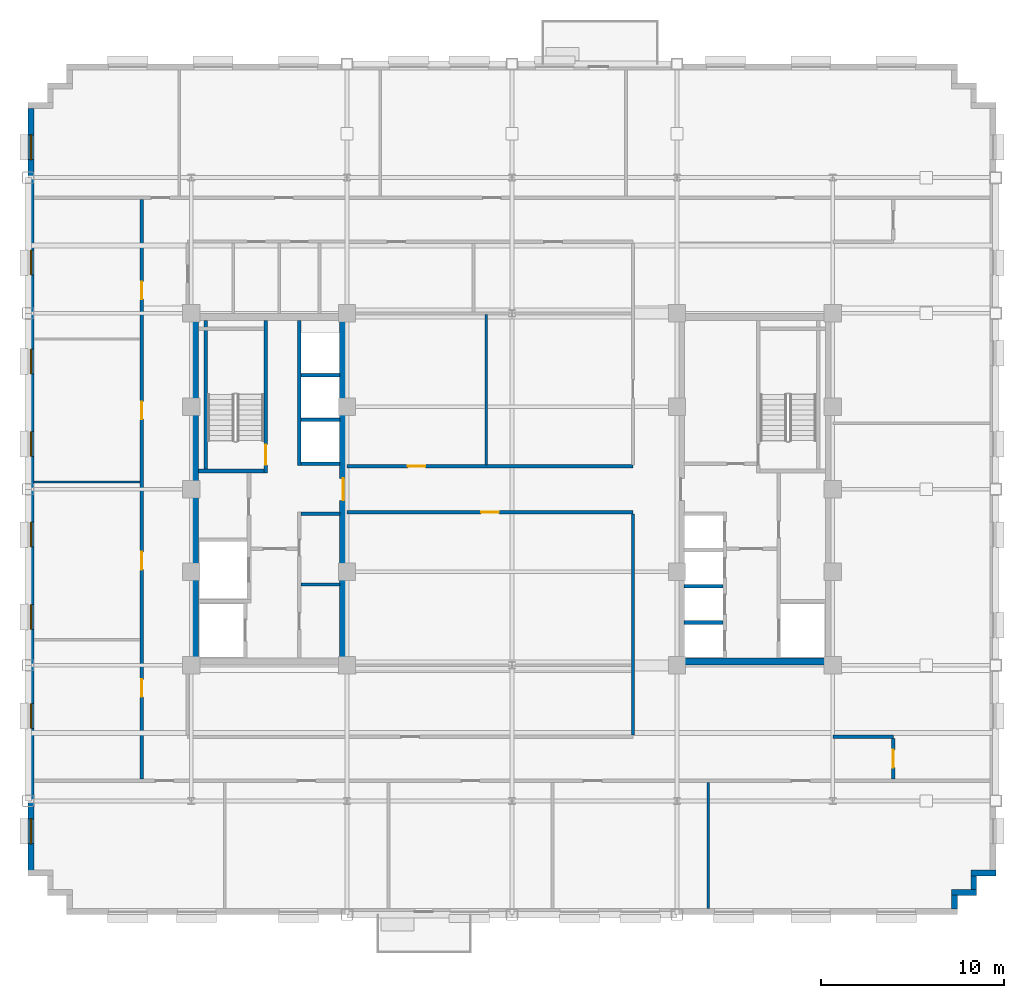
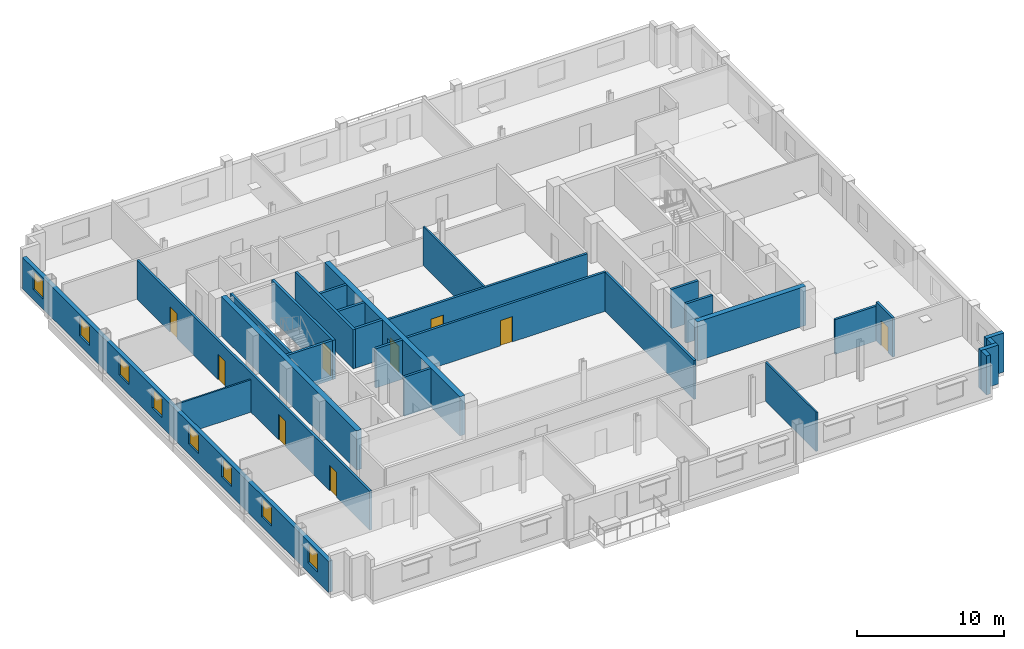
# One storey, part 7 of 14: 28 walls, 9 doors, 8 windows, 17 openings.
"""IFC4 building model written with IfcOpenShell, lengths in metres."""

from ifc_helpers import new_model, si_unit, direction, frame, frame_2d, origin, place, context, subcontext, project, spatial, rectangle, extrude, source, transform, mapped, material, layer, layer_set, type_object, type_shapes, element, fill, save


model = new_model("IFC4")

# Units and contexts
model_context = context("Model", 3, precision=1e-05, world=origin(), true_north=direction((0.0, 1.0)))
body_context = subcontext(model_context, "Body", "Model", "MODEL_VIEW")
ifc_project = project(units=[si_unit("LENGTHUNIT", "METRE"), si_unit("AREAUNIT", "SQUARE_METRE"), si_unit("VOLUMEUNIT", "CUBIC_METRE"), si_unit("PLANEANGLEUNIT", "RADIAN"), si_unit("MASSUNIT", "GRAM", prefix="KILO")], contexts=[model_context])

# Site, building, storey
site_placement = place(None, origin())
site = spatial("IfcSite", under=ifc_project, at=site_placement, CompositionType="ELEMENT")
building_placement = place(site_placement, origin())
building = spatial("IfcBuilding", under=site, at=building_placement, Name="Nuvemarco Arch Tower", CompositionType="ELEMENT")
storey_placement = place(building_placement, frame((0.0, 0.0, 164.0)))
storey = spatial("IfcBuildingStorey", under=building, at=storey_placement, Name="L43", CompositionType="ELEMENT", Elevation=164.0)

# Walls
ifc_material_1 = material(Name="Precast concrete C45/55", Category="concrete")
ifc_layer_1 = layer(ifc_material_1, 0.320068359375, Name="EW-MID-320")
ifc_layer_set_1 = layer_set([ifc_layer_1], Name="Precast concrete C45/55")
wall_type_1 = type_object("IfcWallType", Name="EW-MID-320", PredefinedType="STANDARD", material=ifc_layer_set_1)
wall_1_placement = place(storey_placement, frame((24.139892578125, -22.884033203125, 0.0), z_axis=(0.0, 0.0, 1.0), x_axis=(0.0, 1.0, 0.0)))
element("IfcWall", 1, at=wall_1_placement, inside=storey, type_object=wall_type_1, Name="L43 exterior precast facade wall 2", PredefinedType="STANDARD", context=body_context, shape_type="SweptSolid", body=[
    extrude(rectangle(XDim=0.738037109375, YDim=0.320068359375, at=frame_2d((0.369140625, 0.0))), origin(), (0.0, 0.0, 1.0), 3.239990234375),
])
wall_2_placement = place(storey_placement, frame((23.97998046875, -21.989990234375, 0.0), z_axis=(0.0, 0.0, 1.0), x_axis=(1.0, 0.0, 0.0)))
element("IfcWall", 2, at=wall_2_placement, inside=storey, type_object=wall_type_1, Name="L43 exterior precast facade wall 3", PredefinedType="STANDARD", context=body_context, shape_type="SweptSolid", body=[
    extrude(rectangle(XDim=1.3701171875, YDim=0.320068359375, at=frame_2d((0.68505859375, 0.0))), origin(), (0.0, 0.0, 1.0), 3.239990234375),
])
wall_3_placement = place(storey_placement, frame((25.18994140625, -21.833984375, 0.0), z_axis=(0.0, 0.0, 1.0), x_axis=(0.0, 1.0, 0.0)))
element("IfcWall", 3, at=wall_3_placement, inside=storey, type_object=wall_type_1, Name="L43 exterior precast facade wall 4", PredefinedType="STANDARD", context=body_context, shape_type="SweptSolid", body=[
    extrude(rectangle(XDim=0.738037109375, YDim=0.320068359375, at=frame_2d((0.369140625, 0.0))), origin(), (0.0, 0.0, 1.0), 3.239990234375),
])
wall_4_placement = place(storey_placement, frame((25.030029296875, -20.93994140625, 0.0), z_axis=(0.0, 0.0, 1.0), x_axis=(1.0, 0.0, 0.0)))
element("IfcWall", 4, at=wall_4_placement, inside=storey, type_object=wall_type_1, Name="L43 exterior precast facade wall 5", PredefinedType="STANDARD", context=body_context, shape_type="SweptSolid", body=[
    extrude(rectangle(XDim=1.369873046875, YDim=0.320068359375, at=frame_2d((0.68505859375, 0.0))), origin(), (0.0, 0.0, 1.0), 3.239990234375),
])

# Wall, openings, windows
wall_5_placement = place(storey_placement, frame((-26.239990234375, -20.783935546875, 0.0), z_axis=(0.0, 0.0, 1.0), x_axis=(0.0, 1.0, 0.0)))
wall_5 = element("IfcWall", 5, at=wall_5_placement, inside=storey, type_object=wall_type_1, Name="L43 exterior precast facade wall 16", PredefinedType="STANDARD", context=body_context, shape_type="SweptSolid", body=[
    extrude(rectangle(XDim=41.56787109375, YDim=0.320068359375, at=frame_2d((20.783935546875, 0.0))), origin(), (0.0, 0.0, 1.0), 2.5849609375),
])
opening_1_placement = place(wall_5_placement, frame((1.447998046875, 0.0, 0.800048828125)))
opening_1 = element("IfcOpeningElement", 6, at=opening_1_placement, cuts=wall_5, Name="Opening WN-6", PredefinedType="OPENING", context=body_context, shape_type="SweptSolid", body=[
    extrude(rectangle(XDim=1.35009765625, YDim=1.56005859375, at=frame_2d((0.675048828125, 0.780029296875))), frame((0.0, 0.169921875, 0.0), z_axis=(0.0, -1.0, 0.0), x_axis=(1.0, 0.0, 0.0)), (0.0, 0.0, 1.0), 0.340087890625),
])
opening_2_placement = place(wall_5_placement, frame((7.743896484375, 0.0, 0.800048828125)))
opening_2 = element("IfcOpeningElement", 7, at=opening_2_placement, cuts=wall_5, Name="Opening WN-6", PredefinedType="OPENING", context=body_context, shape_type="SweptSolid", body=[
    extrude(rectangle(XDim=1.35009765625, YDim=1.56005859375, at=frame_2d((0.675048828125, 0.780029296875))), frame((0.0, 0.169921875, 0.0), z_axis=(0.0, -1.0, 0.0), x_axis=(1.0, 0.0, 0.0)), (0.0, 0.0, 1.0), 0.340087890625),
])
opening_3_placement = place(wall_5_placement, frame((13.139892578125, 0.0, 0.800048828125)))
opening_3 = element("IfcOpeningElement", 8, at=opening_3_placement, cuts=wall_5, Name="Opening WN-6", PredefinedType="OPENING", context=body_context, shape_type="SweptSolid", body=[
    extrude(rectangle(XDim=1.35009765625, YDim=1.56005859375, at=frame_2d((0.675048828125, 0.780029296875))), frame((0.0, 0.169921875, 0.0), z_axis=(0.0, -1.0, 0.0), x_axis=(1.0, 0.0, 0.0)), (0.0, 0.0, 1.0), 0.340087890625),
])
opening_4_placement = place(wall_5_placement, frame((17.635986328125, 0.0, 0.800048828125)))
opening_4 = element("IfcOpeningElement", 9, at=opening_4_placement, cuts=wall_5, Name="Opening WN-6", PredefinedType="OPENING", context=body_context, shape_type="SweptSolid", body=[
    extrude(rectangle(XDim=1.35009765625, YDim=1.56005859375, at=frame_2d((0.675048828125, 0.780029296875))), frame((0.0, 0.169921875, 0.0), z_axis=(0.0, -1.0, 0.0), x_axis=(1.0, 0.0, 0.0)), (0.0, 0.0, 1.0), 0.340087890625),
])
opening_5_placement = place(wall_5_placement, frame((22.58203125, 0.0, 0.800048828125)))
opening_5 = element("IfcOpeningElement", 10, at=opening_5_placement, cuts=wall_5, Name="Opening WN-6", PredefinedType="OPENING", context=body_context, shape_type="SweptSolid", body=[
    extrude(rectangle(XDim=1.35009765625, YDim=1.56005859375, at=frame_2d((0.675048828125, 0.780029296875))), frame((0.0, 0.169921875, 0.0), z_axis=(0.0, -1.0, 0.0), x_axis=(1.0, 0.0, 0.0)), (0.0, 0.0, 1.0), 0.340087890625),
])
opening_6_placement = place(wall_5_placement, frame((27.077880859375, 0.0, 0.800048828125)))
opening_6 = element("IfcOpeningElement", 11, at=opening_6_placement, cuts=wall_5, Name="Opening WN-6", PredefinedType="OPENING", context=body_context, shape_type="SweptSolid", body=[
    extrude(rectangle(XDim=1.35009765625, YDim=1.56005859375, at=frame_2d((0.675048828125, 0.780029296875))), frame((0.0, 0.169921875, 0.0), z_axis=(0.0, -1.0, 0.0), x_axis=(1.0, 0.0, 0.0)), (0.0, 0.0, 1.0), 0.340087890625),
])
opening_7_placement = place(wall_5_placement, frame((32.47412109375, 0.0, 0.800048828125)))
opening_7 = element("IfcOpeningElement", 12, at=opening_7_placement, cuts=wall_5, Name="Opening WN-6", PredefinedType="OPENING", context=body_context, shape_type="SweptSolid", body=[
    extrude(rectangle(XDim=1.35009765625, YDim=1.56005859375, at=frame_2d((0.675048828125, 0.780029296875))), frame((0.0, 0.169921875, 0.0), z_axis=(0.0, -1.0, 0.0), x_axis=(1.0, 0.0, 0.0)), (0.0, 0.0, 1.0), 0.340087890625),
])
opening_8_placement = place(wall_5_placement, frame((38.77001953125, 0.0, 0.800048828125)))
opening_8 = element("IfcOpeningElement", 13, at=opening_8_placement, cuts=wall_5, Name="Opening WN-6", PredefinedType="OPENING", context=body_context, shape_type="SweptSolid", body=[
    extrude(rectangle(XDim=1.35009765625, YDim=1.56005859375, at=frame_2d((0.675048828125, 0.780029296875))), frame((0.0, 0.169921875, 0.0), z_axis=(0.0, -1.0, 0.0), x_axis=(1.0, 0.0, 0.0)), (0.0, 0.0, 1.0), 0.340087890625),
])
ifc_material_2 = material(Name="Insulated solar-control glass", Category="glass")
window_type = type_object("IfcWindowType", Name="WN-MID-1350x1560", PartitioningType="SINGLE_PANEL", PredefinedType="WINDOW", material=ifc_material_2)
shared_shape_1 = source(origin(), body_context, "Body", "SweptSolid", [
    extrude(rectangle(XDim=1.35009765625, YDim=1.56005859375, at=frame_2d((0.675048828125, 0.780029296875))), frame((0.0, 0.030029296875, 0.0), z_axis=(0.0, -1.0, 0.0), x_axis=(1.0, 0.0, 0.0)), (0.0, 0.0, 1.0), 0.06005859375),
])
type_shapes(window_type, [shared_shape_1])
window_1_placement = place(opening_1_placement, origin())
window_1 = element("IfcWindow", 14, at=window_1_placement, inside=storey, type_object=window_type, Name="L43 punched facade window 1", OverallHeight=1.56005859375, OverallWidth=1.35009765625, PartitioningType="SINGLE_PANEL", PredefinedType="WINDOW", context=body_context, shape_type="MappedRepresentation", body=[
    mapped(shared_shape_1, transform((0.0, 0.0, 0.0), scale=1.0)),
])
fill(opening_1, window_1)
window_2_placement = place(opening_2_placement, origin())
window_2 = element("IfcWindow", 15, at=window_2_placement, inside=storey, type_object=window_type, Name="L43 punched facade window 2", OverallHeight=1.56005859375, OverallWidth=1.35009765625, PartitioningType="SINGLE_PANEL", PredefinedType="WINDOW", context=body_context, shape_type="MappedRepresentation", body=[
    mapped(shared_shape_1, transform((0.0, 0.0, 0.0), scale=1.0)),
])
fill(opening_2, window_2)
window_3_placement = place(opening_3_placement, origin())
window_3 = element("IfcWindow", 16, at=window_3_placement, inside=storey, type_object=window_type, Name="L43 punched facade window 3", OverallHeight=1.56005859375, OverallWidth=1.35009765625, PartitioningType="SINGLE_PANEL", PredefinedType="WINDOW", context=body_context, shape_type="MappedRepresentation", body=[
    mapped(shared_shape_1, transform((0.0, 0.0, 0.0), scale=1.0)),
])
fill(opening_3, window_3)
window_4_placement = place(opening_4_placement, origin())
window_4 = element("IfcWindow", 17, at=window_4_placement, inside=storey, type_object=window_type, Name="L43 punched facade window 4", OverallHeight=1.56005859375, OverallWidth=1.35009765625, PartitioningType="SINGLE_PANEL", PredefinedType="WINDOW", context=body_context, shape_type="MappedRepresentation", body=[
    mapped(shared_shape_1, transform((0.0, 0.0, 0.0), scale=1.0)),
])
fill(opening_4, window_4)
window_5_placement = place(opening_5_placement, origin())
window_5 = element("IfcWindow", 18, at=window_5_placement, inside=storey, type_object=window_type, Name="L43 punched facade window 5", OverallHeight=1.56005859375, OverallWidth=1.35009765625, PartitioningType="SINGLE_PANEL", PredefinedType="WINDOW", context=body_context, shape_type="MappedRepresentation", body=[
    mapped(shared_shape_1, transform((0.0, 0.0, 0.0), scale=1.0)),
])
fill(opening_5, window_5)
window_6_placement = place(opening_6_placement, origin())
window_6 = element("IfcWindow", 19, at=window_6_placement, inside=storey, type_object=window_type, Name="L43 punched facade window 6", OverallHeight=1.56005859375, OverallWidth=1.35009765625, PartitioningType="SINGLE_PANEL", PredefinedType="WINDOW", context=body_context, shape_type="MappedRepresentation", body=[
    mapped(shared_shape_1, transform((0.0, 0.0, 0.0), scale=1.0)),
])
fill(opening_6, window_6)
window_7_placement = place(opening_7_placement, origin())
window_7 = element("IfcWindow", 20, at=window_7_placement, inside=storey, type_object=window_type, Name="L43 punched facade window 7", OverallHeight=1.56005859375, OverallWidth=1.35009765625, PartitioningType="SINGLE_PANEL", PredefinedType="WINDOW", context=body_context, shape_type="MappedRepresentation", body=[
    mapped(shared_shape_1, transform((0.0, 0.0, 0.0), scale=1.0)),
])
fill(opening_7, window_7)
window_8_placement = place(opening_8_placement, origin())
window_8 = element("IfcWindow", 21, at=window_8_placement, inside=storey, type_object=window_type, Name="L43 punched facade window 8", OverallHeight=1.56005859375, OverallWidth=1.35009765625, PartitioningType="SINGLE_PANEL", PredefinedType="WINDOW", context=body_context, shape_type="MappedRepresentation", body=[
    mapped(shared_shape_1, transform((0.0, 0.0, 0.0), scale=1.0)),
])
fill(opening_8, window_8)

# Wall
ifc_material_3 = material(Name="Concrete C60/75", Category="concrete")
ifc_layer_2 = layer(ifc_material_3, 0.39990234375, Name="WL-CORE-400")
ifc_layer_set_2 = layer_set([ifc_layer_2], Name="Concrete C60/75")
wall_type_2 = type_object("IfcWallType", Name="WL-CORE-400", PredefinedType="SHEAR", material=ifc_layer_set_2)
wall_6_placement = place(storey_placement, frame((-17.300048828125, -9.205078125, 0.0), z_axis=(0.0, 0.0, 1.0), x_axis=(0.0, 1.0, 0.0)))
element("IfcWall", 22, at=wall_6_placement, inside=storey, type_object=wall_type_2, Name="L43 W-core shear wall W", PredefinedType="SHEAR", context=body_context, shape_type="SweptSolid", body=[
    extrude(rectangle(XDim=18.41015625, YDim=0.39990234375, at=frame_2d((9.205078125, 0.0))), origin(), (0.0, 0.0, 1.0), 3.25),
])

# Wall, opening, door
wall_7_placement = place(storey_placement, frame((-9.199951171875, -9.205078125, 0.0), z_axis=(0.0, 0.0, 1.0), x_axis=(0.0, 1.0, 0.0)))
wall_7 = element("IfcWall", 23, at=wall_7_placement, inside=storey, type_object=wall_type_2, Name="L43 W-core shear wall E", PredefinedType="SHEAR", context=body_context, shape_type="SweptSolid", body=[
    extrude(rectangle(XDim=18.41015625, YDim=0.39990234375, at=frame_2d((9.205078125, 0.0))), origin(), (0.0, 0.0, 1.0), 3.25),
])
opening_9_placement = place(wall_7_placement, frame((8.60498046875, 0.0, 0.0)))
opening_9 = element("IfcOpeningElement", 24, at=opening_9_placement, cuts=wall_7, Name="Opening FD-2", PredefinedType="OPENING", context=body_context, shape_type="SweptSolid", body=[
    extrude(rectangle(XDim=1.199951171875, YDim=2.14990234375, at=frame_2d((0.60009765625, 1.074951171875))), frame((0.0, 0.2099609375, 0.0), z_axis=(0.0, -1.0, 0.0), x_axis=(1.0, 0.0, 0.0)), (0.0, 0.0, 1.0), 0.419921875),
])
ifc_material_4 = material(Name="Anodised steel fire door", Category="steel")
door_type_1 = type_object("IfcDoorType", Name="DR-FFLOB-FD", OperationType="NOTDEFINED", PredefinedType="DOOR", material=ifc_material_4)
shared_shape_2 = source(origin(), body_context, "Body", "SweptSolid", [
    extrude(rectangle(XDim=1.199951171875, YDim=2.14990234375, at=frame_2d((0.60009765625, 1.074951171875))), frame((0.0, 0.02490234375, 0.0), z_axis=(0.0, -1.0, 0.0), x_axis=(1.0, 0.0, 0.0)), (0.0, 0.0, 1.0), 0.050048828125),
])
type_shapes(door_type_1, [shared_shape_2])
door_1_placement = place(opening_9_placement, origin())
door_1 = element("IfcDoor", 25, at=door_1_placement, inside=storey, type_object=door_type_1, Name="L43 door FD-L43-WCORE-E", OperationType="SINGLE_SWING_RIGHT", OverallHeight=2.14990234375, OverallWidth=1.199951171875, PredefinedType="DOOR", context=body_context, shape_type="MappedRepresentation", body=[
    mapped(shared_shape_2, transform((0.0, 0.0, 0.0), scale=1.0)),
])
fill(opening_9, door_1)

# Walls
wall_8_placement = place(storey_placement, frame((9.0, -9.39990234375, 0.0), z_axis=(0.0, 0.0, 1.0), x_axis=(1.0, 0.0, 0.0)))
element("IfcWall", 26, at=wall_8_placement, inside=storey, type_object=wall_type_2, Name="L43 E-core shear wall S", PredefinedType="SHEAR", context=body_context, shape_type="SweptSolid", body=[
    extrude(rectangle(XDim=8.5, YDim=0.39990234375, at=frame_2d((4.25, 0.0))), origin(), (0.0, 0.0, 1.0), 3.25),
])
ifc_material_5 = material(Name="Fire-rated gypsum drywall partition")
ifc_layer_3 = layer(ifc_material_5, 0.179931640625, Name="WL-CORR-180")
ifc_layer_set_3 = layer_set([ifc_layer_3], Name="Fire-rated gypsum drywall partition")
wall_type_3 = type_object("IfcWallType", Name="WL-CORR-180", PredefinedType="PARTITIONING", material=ifc_layer_set_3)
wall_9_placement = place(storey_placement, frame((-11.5048828125, -5.199951171875, 0.0), z_axis=(0.0, 0.0, 1.0), x_axis=(1.0, 0.0, 0.0)))
element("IfcWall", 27, at=wall_9_placement, inside=storey, type_object=wall_type_3, Name="L43 interior wall IW-L43-W-RECK1", PredefinedType="PARTITIONING", context=body_context, shape_type="SweptSolid", body=[
    extrude(rectangle(XDim=2.10986328125, YDim=0.179931640625, at=frame_2d((1.054931640625, 0.0))), origin(), (0.0, 0.0, 1.0), 3.239990234375),
])
wall_10_placement = place(storey_placement, frame((17.5, -13.5, 0.0), z_axis=(0.0, 0.0, 1.0), x_axis=(1.0, 0.0, 0.0)))
element("IfcWall", 28, at=wall_10_placement, inside=storey, type_object=wall_type_3, Name="L43 interior wall IW-L43-003", PredefinedType="PARTITIONING", context=body_context, shape_type="SweptSolid", body=[
    extrude(rectangle(XDim=3.300048828125, YDim=0.179931640625, at=frame_2d((1.64990234375, 0.0))), origin(), (0.0, 0.0, 1.0), 2.887939453125),
])

# Wall, opening, door
wall_11_placement = place(storey_placement, frame((-9.0, -1.25, 0.0), z_axis=(0.0, 0.0, 1.0), x_axis=(1.0, 0.0, 0.0)))
wall_11 = element("IfcWall", 29, at=wall_11_placement, inside=storey, type_object=wall_type_3, Name="L43 interior wall IW-L43-007", PredefinedType="PARTITIONING", context=body_context, shape_type="SweptSolid", body=[
    extrude(rectangle(XDim=15.60009765625, YDim=0.179931640625, at=frame_2d((7.800048828125, 0.0))), origin(), (0.0, 0.0, 1.0), 3.239990234375),
])
opening_10_placement = place(wall_11_placement, frame((7.320068359375, 0.0, 0.0)))
opening_10 = element("IfcOpeningElement", 30, at=opening_10_placement, cuts=wall_11, Name="Opening FD-5", PredefinedType="OPENING", context=body_context, shape_type="SweptSolid", body=[
    extrude(rectangle(XDim=0.9599609375, YDim=2.10009765625, at=frame_2d((0.47998046875, 1.050048828125))), frame((0.0, 0.099853515625, 0.0), z_axis=(0.0, -1.0, 0.0), x_axis=(1.0, 0.0, 0.0)), (0.0, 0.0, 1.0), 0.199951171875),
])
ifc_material_6 = material(Name="Timber fire door", Category="wood")
door_type_2 = type_object("IfcDoorType", Name="DR-CORR-FD", OperationType="NOTDEFINED", PredefinedType="DOOR", material=ifc_material_6)
shared_shape_3 = source(origin(), body_context, "Body", "SweptSolid", [
    extrude(rectangle(XDim=0.9599609375, YDim=2.10009765625, at=frame_2d((0.47998046875, 1.050048828125))), frame((0.0, 0.02490234375, 0.0), z_axis=(0.0, -1.0, 0.0), x_axis=(1.0, 0.0, 0.0)), (0.0, 0.0, 1.0), 0.050048828125),
])
type_shapes(door_type_2, [shared_shape_3])
door_2_placement = place(opening_10_placement, origin())
door_2 = element("IfcDoor", 31, at=door_2_placement, inside=storey, type_object=door_type_2, Name="L43 door DR-L43-C_S1", OperationType="SINGLE_SWING_RIGHT", OverallHeight=2.10009765625, OverallWidth=0.9599609375, PredefinedType="DOOR", context=body_context, shape_type="MappedRepresentation", body=[
    mapped(shared_shape_3, transform((0.0, 0.0, 0.0), scale=1.0)),
])
fill(opening_10, door_2)

wall_12_placement = place(storey_placement, frame((-9.0, 1.25, 0.0), z_axis=(0.0, 0.0, 1.0), x_axis=(1.0, 0.0, 0.0)))
wall_12 = element("IfcWall", 32, at=wall_12_placement, inside=storey, type_object=wall_type_3, Name="L43 interior wall IW-L43-009", PredefinedType="PARTITIONING", context=body_context, shape_type="SweptSolid", body=[
    extrude(rectangle(XDim=15.60009765625, YDim=0.179931640625, at=frame_2d((7.800048828125, 0.0))), origin(), (0.0, 0.0, 1.0), 3.239990234375),
])
opening_11_placement = place(wall_12_placement, frame((3.320068359375, 0.0, 0.0)))
opening_11 = element("IfcOpeningElement", 33, at=opening_11_placement, cuts=wall_12, Name="Opening FD-5", PredefinedType="OPENING", context=body_context, shape_type="SweptSolid", body=[
    extrude(rectangle(XDim=0.9599609375, YDim=2.10009765625, at=frame_2d((0.47998046875, 1.050048828125))), frame((0.0, 0.099853515625, 0.0), z_axis=(0.0, -1.0, 0.0), x_axis=(1.0, 0.0, 0.0)), (0.0, 0.0, 1.0), 0.199951171875),
])
door_3_placement = place(opening_11_placement, origin())
door_3 = element("IfcDoor", 34, at=door_3_placement, inside=storey, type_object=door_type_2, Name="L43 door DR-L43-C_N1", OperationType="SINGLE_SWING_RIGHT", OverallHeight=2.10009765625, OverallWidth=0.9599609375, PredefinedType="DOOR", context=body_context, shape_type="MappedRepresentation", body=[
    mapped(shared_shape_3, transform((0.0, 0.0, 0.0), scale=1.0)),
])
fill(opening_11, door_3)

# Wall, openings, doors
wall_13_placement = place(storey_placement, frame((-20.199951171875, -15.81396484375, 0.0), z_axis=(0.0, 0.0, 1.0), x_axis=(0.0, 1.0, 0.0)))
wall_13 = element("IfcWall", 35, at=wall_13_placement, inside=storey, type_object=wall_type_3, Name="L43 interior wall IW-L43-017", PredefinedType="PARTITIONING", context=body_context, shape_type="SweptSolid", body=[
    extrude(rectangle(XDim=31.6279296875, YDim=0.179931640625, at=frame_2d((15.81396484375, 0.0))), origin(), (0.0, 0.0, 1.0), 3.239990234375),
])
opening_12_placement = place(wall_13_placement, frame((11.43408203125, 0.0, 0.0)))
opening_12 = element("IfcOpeningElement", 36, at=opening_12_placement, cuts=wall_13, Name="Opening FD-5", PredefinedType="OPENING", context=body_context, shape_type="SweptSolid", body=[
    extrude(rectangle(XDim=0.9599609375, YDim=2.10009765625, at=frame_2d((0.47998046875, 1.050048828125))), frame((0.0, 0.099853515625, 0.0), z_axis=(0.0, -1.0, 0.0), x_axis=(1.0, 0.0, 0.0)), (0.0, 0.0, 1.0), 0.199951171875),
])
opening_13_placement = place(wall_13_placement, frame((19.634033203125, 0.0, 0.0)))
opening_13 = element("IfcOpeningElement", 37, at=opening_13_placement, cuts=wall_13, Name="Opening FD-5", PredefinedType="OPENING", context=body_context, shape_type="SweptSolid", body=[
    extrude(rectangle(XDim=0.9599609375, YDim=2.10009765625, at=frame_2d((0.47998046875, 1.050048828125))), frame((0.0, 0.099853515625, 0.0), z_axis=(0.0, -1.0, 0.0), x_axis=(1.0, 0.0, 0.0)), (0.0, 0.0, 1.0), 0.199951171875),
])
opening_14_placement = place(wall_13_placement, frame((4.48388671875, 0.0, 0.0)))
opening_14 = element("IfcOpeningElement", 38, at=opening_14_placement, cuts=wall_13, Name="Opening FD-5", PredefinedType="OPENING", context=body_context, shape_type="SweptSolid", body=[
    extrude(rectangle(XDim=0.9599609375, YDim=2.10009765625, at=frame_2d((0.47998046875, 1.050048828125))), frame((0.0, 0.099853515625, 0.0), z_axis=(0.0, -1.0, 0.0), x_axis=(1.0, 0.0, 0.0)), (0.0, 0.0, 1.0), 0.199951171875),
])
opening_15_placement = place(wall_13_placement, frame((26.18408203125, 0.0, 0.0)))
opening_15 = element("IfcOpeningElement", 39, at=opening_15_placement, cuts=wall_13, Name="Opening FD-5", PredefinedType="OPENING", context=body_context, shape_type="SweptSolid", body=[
    extrude(rectangle(XDim=0.9599609375, YDim=2.10009765625, at=frame_2d((0.47998046875, 1.050048828125))), frame((0.0, 0.099853515625, 0.0), z_axis=(0.0, -1.0, 0.0), x_axis=(1.0, 0.0, 0.0)), (0.0, 0.0, 1.0), 0.199951171875),
])
door_4_placement = place(opening_12_placement, origin())
door_4 = element("IfcDoor", 40, at=door_4_placement, inside=storey, type_object=door_type_2, Name="L43 door DR-L43-W_2", OperationType="SINGLE_SWING_RIGHT", OverallHeight=2.10009765625, OverallWidth=0.9599609375, PredefinedType="DOOR", context=body_context, shape_type="MappedRepresentation", body=[
    mapped(shared_shape_3, transform((0.0, 0.0, 0.0), scale=1.0)),
])
fill(opening_12, door_4)
door_5_placement = place(opening_13_placement, origin())
door_5 = element("IfcDoor", 41, at=door_5_placement, inside=storey, type_object=door_type_2, Name="L43 door DR-L43-W_3", OperationType="SINGLE_SWING_LEFT", OverallHeight=2.10009765625, OverallWidth=0.9599609375, PredefinedType="DOOR", context=body_context, shape_type="MappedRepresentation", body=[
    mapped(shared_shape_3, transform((0.0, 0.0, 0.0), scale=1.0)),
])
fill(opening_13, door_5)
door_6_placement = place(opening_14_placement, origin())
door_6 = element("IfcDoor", 42, at=door_6_placement, inside=storey, type_object=door_type_2, Name="L43 door DR-L43-W_1", OperationType="SINGLE_SWING_LEFT", OverallHeight=2.10009765625, OverallWidth=0.9599609375, PredefinedType="DOOR", context=body_context, shape_type="MappedRepresentation", body=[
    mapped(shared_shape_3, transform((0.0, 0.0, 0.0), scale=1.0)),
])
fill(opening_14, door_6)
door_7_placement = place(opening_15_placement, origin())
door_7 = element("IfcDoor", 43, at=door_7_placement, inside=storey, type_object=door_type_2, Name="L43 door DR-L43-W_4", OperationType="SINGLE_SWING_RIGHT", OverallHeight=2.10009765625, OverallWidth=0.9599609375, PredefinedType="DOOR", context=body_context, shape_type="MappedRepresentation", body=[
    mapped(shared_shape_3, transform((0.0, 0.0, 0.0), scale=1.0)),
])
fill(opening_15, door_7)

# Wall
wall_14_placement = place(storey_placement, frame((6.60009765625, -13.4140625, 0.0), z_axis=(0.0, 0.0, 1.0), x_axis=(0.0, 1.0, 0.0)))
element("IfcWall", 44, at=wall_14_placement, inside=storey, type_object=wall_type_3, Name="L43 interior wall IW-L43-031", PredefinedType="PARTITIONING", context=body_context, shape_type="SweptSolid", body=[
    extrude(rectangle(XDim=12.078125, YDim=0.179931640625, at=frame_2d((6.0390625, 0.0))), origin(), (0.0, 0.0, 1.0), 3.239990234375),
])

# Wall, opening, door
wall_15_placement = place(storey_placement, frame((20.800048828125, -15.81396484375, 0.0), z_axis=(0.0, 0.0, 1.0), x_axis=(0.0, 1.0, 0.0)))
wall_15 = element("IfcWall", 45, at=wall_15_placement, inside=storey, type_object=wall_type_3, Name="L43 interior wall IW-L43-034", PredefinedType="PARTITIONING", context=body_context, shape_type="SweptSolid", body=[
    extrude(rectangle(XDim=2.22802734375, YDim=0.179931640625, at=frame_2d((1.114013671875, 0.0))), origin(), (0.0, 0.0, 1.0), 3.239990234375),
])
opening_16_placement = place(wall_15_placement, frame((0.634033203125, 0.0, 0.0)))
opening_16 = element("IfcOpeningElement", 46, at=opening_16_placement, cuts=wall_15, Name="Opening FD-5", PredefinedType="OPENING", context=body_context, shape_type="SweptSolid", body=[
    extrude(rectangle(XDim=0.9599609375, YDim=2.10009765625, at=frame_2d((0.47998046875, 1.050048828125))), frame((0.0, 0.099853515625, 0.0), z_axis=(0.0, -1.0, 0.0), x_axis=(1.0, 0.0, 0.0)), (0.0, 0.0, 1.0), 0.199951171875),
])
door_8_placement = place(opening_16_placement, origin())
door_8 = element("IfcDoor", 47, at=door_8_placement, inside=storey, type_object=door_type_2, Name="L43 door DR-L43-E_1", OperationType="SINGLE_SWING_LEFT", OverallHeight=2.10009765625, OverallWidth=0.9599609375, PredefinedType="DOOR", context=body_context, shape_type="MappedRepresentation", body=[
    mapped(shared_shape_3, transform((0.0, 0.0, 0.0), scale=1.0)),
])
fill(opening_16, door_8)

# Walls
ifc_material_7 = material(Name="Glazed acoustic office partition")
ifc_layer_4 = layer(ifc_material_7, 0.1298828125, Name="WL-EXEC-130")
ifc_layer_set_4 = layer_set([ifc_layer_4], Name="Glazed acoustic office partition")
wall_type_4 = type_object("IfcWallType", Name="WL-EXEC-130", PredefinedType="PARTITIONING", material=ifc_layer_set_4)
wall_16_placement = place(storey_placement, frame((-26.080078125, 0.39990234375, 0.0), z_axis=(0.0, 0.0, 1.0), x_axis=(1.0, 0.0, 0.0)))
element("IfcWall", 48, at=wall_16_placement, inside=storey, type_object=wall_type_4, Name="L43 interior wall IW-L43-008", PredefinedType="PARTITIONING", context=body_context, shape_type="SweptSolid", body=[
    extrude(rectangle(XDim=5.794189453125, YDim=0.1298828125, at=frame_2d((2.89697265625, 0.0))), origin(), (0.0, 0.0, 1.0), 2.696044921875),
])
ifc_material_8 = material(Name="Gypsum plasterboard partition")
ifc_layer_5 = layer(ifc_material_8, 0.139892578125, Name="WL-ROOM-140")
ifc_layer_set_5 = layer_set([ifc_layer_5], Name="Gypsum plasterboard partition")
wall_type_5 = type_object("IfcWallType", Name="WL-ROOM-140", PredefinedType="PARTITIONING", material=ifc_layer_set_5)
wall_17_placement = place(storey_placement, frame((-1.39990234375, 1.3359375, 0.0), z_axis=(0.0, 0.0, 1.0), x_axis=(0.0, 1.0, 0.0)))
element("IfcWall", 49, at=wall_17_placement, inside=storey, type_object=wall_type_5, Name="L43 interior wall IW-L43-028", PredefinedType="PARTITIONING", context=body_context, shape_type="SweptSolid", body=[
    extrude(rectangle(XDim=8.18798828125, YDim=0.139892578125, at=frame_2d((4.093994140625, 0.0))), origin(), (0.0, 0.0, 1.0), 3.239990234375),
])
wall_18_placement = place(storey_placement, frame((10.699951171875, -22.8798828125, 0.0), z_axis=(0.0, 0.0, 1.0), x_axis=(0.0, 1.0, 0.0)))
element("IfcWall", 50, at=wall_18_placement, inside=storey, type_object=wall_type_5, Name="L43 interior wall IW-L43-033", PredefinedType="PARTITIONING", context=body_context, shape_type="SweptSolid", body=[
    extrude(rectangle(XDim=6.893798828125, YDim=0.139892578125, at=frame_2d((3.44677734375, 0.0))), origin(), (0.0, 0.0, 1.0), 3.239990234375),
])

# Wall, opening, door
ifc_material_9 = material(Name="Concrete C50/60", Category="concrete")
ifc_layer_6 = layer(ifc_material_9, 0.199951171875, Name="WL-SHAFT-220")
ifc_layer_set_6 = layer_set([ifc_layer_6], Name="Concrete C50/60")
wall_type_6 = type_object("IfcWallType", Name="WL-SHAFT-220", PredefinedType="SHEAR", material=ifc_layer_set_6)
wall_19_placement = place(storey_placement, frame((-13.43994140625, 0.89990234375, 0.0), z_axis=(0.0, 0.0, 1.0), x_axis=(0.0, 1.0, 0.0)))
wall_19 = element("IfcWall", 51, at=wall_19_placement, inside=storey, type_object=wall_type_6, Name="L43 structural shaft wall SW-L43-W-ST1E", PredefinedType="SHEAR", context=body_context, shape_type="SweptSolid", body=[
    extrude(rectangle(XDim=8.30517578125, YDim=0.199951171875, at=frame_2d((4.152587890625, 0.0))), origin(), (0.0, 0.0, 1.0), 3.25),
])
opening_17_placement = place(wall_19_placement, frame((1.530029296875, 0.0, 0.0), z_axis=(0.0, 0.0, 1.0), x_axis=(-1.0, 0.0, 0.0)))
opening_17 = element("IfcOpeningElement", 52, at=opening_17_placement, cuts=wall_19, Name="Opening FD-1", PredefinedType="OPENING", context=body_context, shape_type="SweptSolid", body=[
    extrude(rectangle(XDim=1.10009765625, YDim=2.14990234375, at=frame_2d((0.550048828125, 1.074951171875))), frame((0.0, 0.10986328125, 0.0), z_axis=(0.0, -1.0, 0.0), x_axis=(1.0, 0.0, 0.0)), (0.0, 0.0, 1.0), 0.219970703125),
])
door_type_3 = type_object("IfcDoorType", Name="DR-STAIR-FD", OperationType="NOTDEFINED", PredefinedType="DOOR", material=ifc_material_4)
shared_shape_4 = source(origin(), body_context, "Body", "SweptSolid", [
    extrude(rectangle(XDim=1.10009765625, YDim=2.14990234375, at=frame_2d((0.550048828125, 1.074951171875))), frame((0.0, 0.02490234375, 0.0), z_axis=(0.0, -1.0, 0.0), x_axis=(1.0, 0.0, 0.0)), (0.0, 0.0, 1.0), 0.050048828125),
])
type_shapes(door_type_3, [shared_shape_4])
door_9_placement = place(opening_17_placement, origin())
door_9 = element("IfcDoor", 53, at=door_9_placement, inside=storey, type_object=door_type_3, Name="L43 door FD-L43-ST1", OperationType="SINGLE_SWING_RIGHT", OverallHeight=2.14990234375, OverallWidth=1.10009765625, PredefinedType="DOOR", context=body_context, shape_type="MappedRepresentation", body=[
    mapped(shared_shape_4, transform((0.0, 0.0, 0.0), scale=1.0)),
])
fill(opening_17, door_9)

# Walls
wall_20_placement = place(storey_placement, frame((-17.10498046875, 1.0, 0.0), z_axis=(0.0, 0.0, 1.0), x_axis=(1.0, 0.0, 0.0)))
element("IfcWall", 54, at=wall_20_placement, inside=storey, type_object=wall_type_6, Name="L43 structural shaft wall SW-L43-W-ST1S", PredefinedType="SHEAR", context=body_context, shape_type="SweptSolid", body=[
    extrude(rectangle(XDim=3.570068359375, YDim=0.199951171875, at=frame_2d((1.78515625, 0.0))), origin(), (0.0, 0.0, 1.0), 3.25),
])
wall_21_placement = place(storey_placement, frame((-16.699951171875, 1.094970703125, 0.0), z_axis=(0.0, 0.0, 1.0), x_axis=(0.0, 1.0, 0.0)))
element("IfcWall", 55, at=wall_21_placement, inside=storey, type_object=wall_type_6, Name="L43 structural shaft wall SW-L43-W-ST1W", PredefinedType="SHEAR", context=body_context, shape_type="SweptSolid", body=[
    extrude(rectangle(XDim=8.110107421875, YDim=0.199951171875, at=frame_2d((4.05517578125, 0.0))), origin(), (0.0, 0.0, 1.0), 3.25),
])
wall_22_placement = place(storey_placement, frame((-11.5048828125, -1.330078125, 0.0), z_axis=(0.0, 0.0, 1.0), x_axis=(1.0, 0.0, 0.0)))
element("IfcWall", 56, at=wall_22_placement, inside=storey, type_object=wall_type_6, Name="L43 structural shaft wall SW-L43-W-PLTOP", PredefinedType="SHEAR", context=body_context, shape_type="SweptSolid", body=[
    extrude(rectangle(XDim=2.10986328125, YDim=0.199951171875, at=frame_2d((1.054931640625, 0.0))), origin(), (0.0, 0.0, 1.0), 3.25),
])
wall_23_placement = place(storey_placement, frame((-11.60009765625, 1.300048828125, 0.0), z_axis=(0.0, 0.0, 1.0), x_axis=(0.0, 1.0, 0.0)))
element("IfcWall", 57, at=wall_23_placement, inside=storey, type_object=wall_type_6, Name="L43 structural shaft wall SW-L43-W-PHW", PredefinedType="SHEAR", context=body_context, shape_type="SweptSolid", body=[
    extrude(rectangle(XDim=7.905029296875, YDim=0.199951171875, at=frame_2d((3.95263671875, 0.0))), origin(), (0.0, 0.0, 1.0), 3.25),
])
for number, where, z_axis, x_axis, name in (
    (58, (-11.5048828125, 1.39990234375, 0.0), (0.0, 0.0, 1.0), (1.0, 0.0, 0.0), "L43 structural shaft wall SW-L43-W-PHD1"),
    (59, (-11.5048828125, 3.800048828125, 0.0), (0.0, 0.0, 1.0), (1.0, 0.0, 0.0), "L43 structural shaft wall SW-L43-W-PHD2"),
    (60, (-11.5048828125, 6.219970703125, 0.0), (0.0, 0.0, 1.0), (1.0, 0.0, 0.0), "L43 structural shaft wall SW-L43-W-PHD3"),
    (61, (9.39501953125, -7.27001953125, 0.0), (0.0, 0.0, 1.0), (1.0, 0.0, 0.0), "L43 structural shaft wall SW-L43-E-PMD1"),
    (62, (9.39501953125, -5.2900390625, 0.0), (0.0, 0.0, 1.0), (1.0, 0.0, 0.0), "L43 structural shaft wall SW-L43-E-PMD2"),
):
    element("IfcWall", number, at=place(storey_placement, frame(where, z_axis=z_axis, x_axis=x_axis)), inside=storey, type_object=wall_type_6, Name=name, PredefinedType="SHEAR", context=body_context, shape_type="SweptSolid", body=[
        extrude(rectangle(XDim=2.10986328125, YDim=0.199951171875, at=frame_2d((1.054931640625, 0.0))), origin(), (0.0, 0.0, 1.0), 3.25),
    ])

save(model, "model.ifc")
